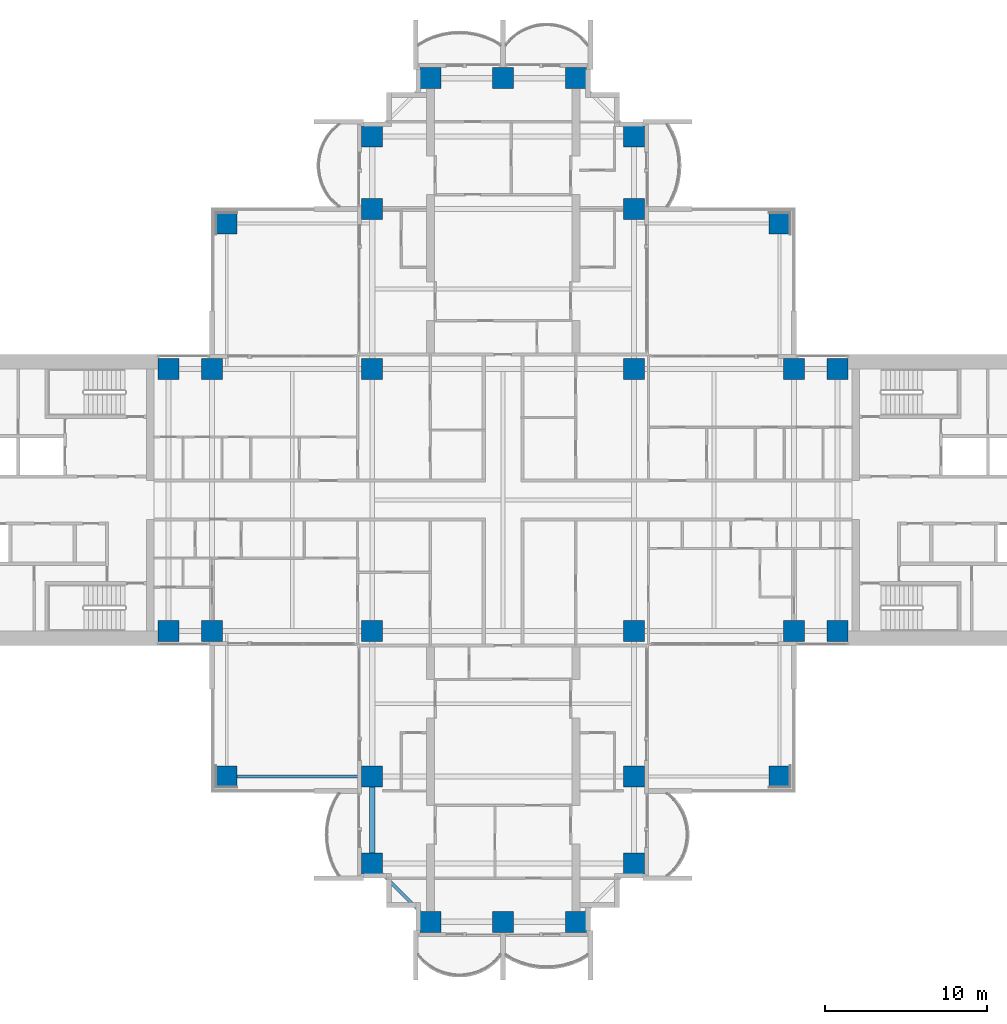
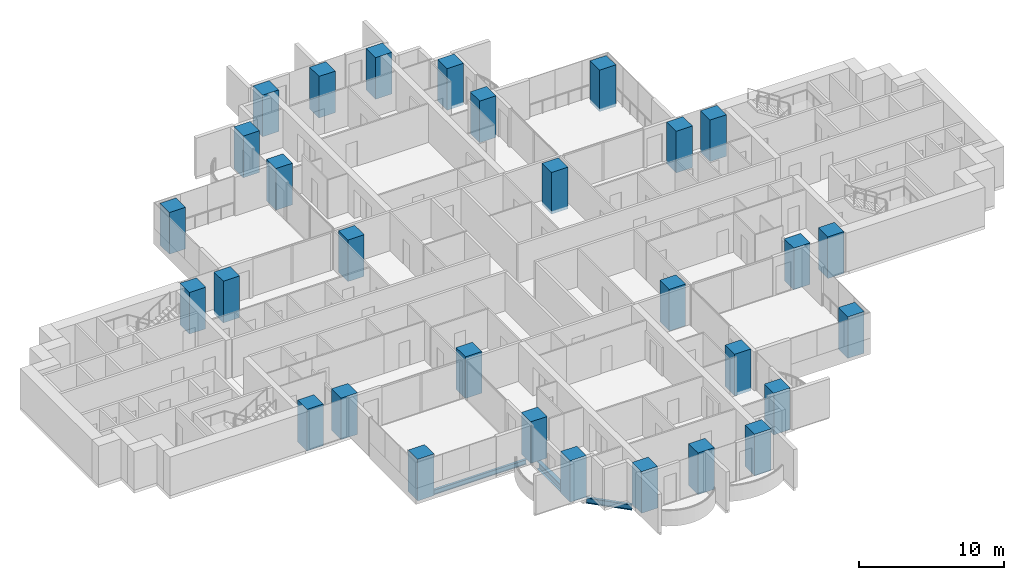
# One storey, part 1 of 21: 30 columns, 3 beams.
"""IFC4 building model written with IfcOpenShell, lengths in metres."""

import ifcopenshell
import ifcopenshell.guid

model = None  # the IFC model being written
_history = None  # IfcOwnerHistory: only IFC2X3 demands one
_inside = {}  # id of a spatial element -> (the spatial element, [elements in it])
_under = {}  # id of a project, library or spatial element -> (it, [spatial elements below it])
_declared = {}  # id of a project -> (the project, [libraries it declares])
_typed = {}  # id of a type object -> (the type object, [elements of that type])
_made_of = {}  # id of a material, layer set ... -> (it, [elements and type objects made of it])


def new_model(schema):
    """Start an empty IFC model of exactly this schema.

    Asked for "IFC4X3", IfcOpenShell would pick the latest addendum, in which some entities
    have other attributes; the version numbers below select the first issue.
    IFC2X3 requires an IfcOwnerHistory on every rooted entity: one is made here for all.
    """
    global model, _history
    if schema == "IFC4X3":
        model = ifcopenshell.file(schema_version=(4, 3, 0, 0))
    else:
        model = ifcopenshell.file(schema=schema)
    _inside.clear()
    _under.clear()
    _declared.clear()
    _typed.clear()
    _made_of.clear()
    _history = None
    if model.schema == "IFC2X3":
        org = make("IfcOrganization", Name="unknown")
        user = make(
            "IfcPersonAndOrganization",
            ThePerson=make("IfcPerson", FamilyName="unknown"),
            TheOrganization=org,
        )
        app = make(
            "IfcApplication",
            ApplicationDeveloper=org,
            Version="unknown",
            ApplicationFullName="unknown",
            ApplicationIdentifier="unknown",
        )
        _history = make(
            "IfcOwnerHistory",
            OwningUser=user,
            OwningApplication=app,
            ChangeAction="ADDED",
            CreationDate=0,
        )
    return model


def make(cls, **values):
    """One entity of the class cls with the attributes given. An attribute that is None is left unset."""
    return model.create_entity(
        cls, **{name: value for name, value in values.items() if value is not None}
    )


def rooted(cls, **values):
    """An entity with a GlobalId (a new one), such as an element, a storey or a relation."""
    return make(cls, GlobalId=ifcopenshell.guid.new(), OwnerHistory=_history, **values)


def si_unit(unit_type, name, prefix=None):
    """IfcSIUnit, for example si_unit("LENGTHUNIT", "METRE", prefix="MILLI")."""
    return make("IfcSIUnit", UnitType=unit_type, Prefix=prefix, Name=name)


def assignment(units):
    """IfcUnitAssignment: the units of a project."""
    return None if units is None else make("IfcUnitAssignment", Units=units)


def point(xyz):
    """IfcCartesianPoint."""
    return None if xyz is None else make("IfcCartesianPoint", Coordinates=xyz)


def direction(xyz):
    """IfcDirection."""
    return None if xyz is None else make("IfcDirection", DirectionRatios=xyz)


def frame(location, z_axis=None, x_axis=None):
    """IfcAxis2Placement3D, a coordinate frame: its origin and axes. An axis left out is left unset."""
    return make(
        "IfcAxis2Placement3D",
        Location=point(location),
        Axis=direction(z_axis),
        RefDirection=direction(x_axis),
    )


def frame_2d(location, x_axis=None):
    """IfcAxis2Placement2D, a coordinate frame in the plane: its origin and x axis."""
    return make(
        "IfcAxis2Placement2D", Location=point(location), RefDirection=direction(x_axis)
    )


def origin():
    """The frame at (0, 0, 0) with its axes left unset."""
    return frame((0.0, 0.0, 0.0))


def origin_2d():
    """The frame at (0, 0) in the plane with its x axis left unset."""
    return frame_2d((0.0, 0.0))


def place(relative_to, where):
    """IfcLocalPlacement: puts the frame where relative to a parent placement (None: the world)."""
    return make(
        "IfcLocalPlacement", PlacementRelTo=relative_to, RelativePlacement=where
    )


def context(
    kind, dimensions, precision=None, world=None, true_north=None, identifier=None
):
    """IfcGeometricRepresentationContext, for example the 3D "Model" context."""
    return make(
        "IfcGeometricRepresentationContext",
        ContextIdentifier=identifier,
        ContextType=kind,
        CoordinateSpaceDimension=dimensions,
        Precision=precision,
        WorldCoordinateSystem=world,
        TrueNorth=true_north,
    )


def subcontext(parent, identifier, kind, view, scale=None):
    """IfcGeometricRepresentationSubContext, for example "Body" below "Model"."""
    return make(
        "IfcGeometricRepresentationSubContext",
        ContextIdentifier=identifier,
        ContextType=kind,
        ParentContext=parent,
        TargetScale=scale,
        TargetView=view,
    )


def project(units=None, contexts=None):
    """IfcProject with its units and contexts."""
    return rooted(
        "IfcProject",
        Name="project",
        RepresentationContexts=contexts,
        UnitsInContext=assignment(units),
    )


def spatial(cls, under=None, at=None, **own):
    """A site, building, storey or space (cls), placed at a placement, below another one or the project."""
    s = rooted(cls, ObjectPlacement=at, **own)
    if under is not None:
        _under.setdefault(under.id(), (under, []))[1].append(s)
    return s


def profile(cls, at=None, kind="AREA", **sizes):
    """A parametric profile (cls). Its sizes go by their IFC names, for example OverallWidth=200.0."""
    return make(cls, ProfileType=kind, Position=at, **sizes)


def rectangle(**sizes):
    """IfcRectangleProfileDef."""
    return profile("IfcRectangleProfileDef", **sizes)


def i_section(**sizes):
    """IfcIShapeProfileDef."""
    return profile("IfcIShapeProfileDef", **sizes)


def extrude(swept, where, along, depth):
    """IfcExtrudedAreaSolid: the profile swept, set in the frame where, extruded along a direction by depth."""
    return make(
        "IfcExtrudedAreaSolid",
        SweptArea=swept,
        Position=where,
        ExtrudedDirection=direction(along),
        Depth=depth,
    )


def shape(context_of_items, identifier, shape_type, items):
    """IfcShapeRepresentation: the items that make up one representation, for example the "Body"."""
    return make(
        "IfcShapeRepresentation",
        ContextOfItems=context_of_items,
        RepresentationIdentifier=identifier,
        RepresentationType=shape_type,
        Items=items,
    )


def material(Name=None, Category=None):
    """IfcMaterial."""
    return make("IfcMaterial", Name=Name, Category=Category)


def material_profile(
    of_material, cross_section, Name=None, Category=None, Priority=None
):
    """IfcMaterialProfile: a cross section and its material."""
    return make(
        "IfcMaterialProfile",
        Name=Name,
        Material=of_material,
        Profile=cross_section,
        Priority=Priority,
        Category=Category,
    )


def profile_set(profiles, Name=None, composite=None):
    """IfcMaterialProfileSet."""
    return make(
        "IfcMaterialProfileSet",
        Name=Name,
        MaterialProfiles=profiles,
        CompositeProfile=composite,
    )


def made_of(thing, what):
    """Note that an element or type object is made of a material, layer set ...; save() writes the relation."""
    if what is not None:
        _made_of.setdefault(what.id(), (what, []))[1].append(thing)
    return thing


def type_object(cls, material=None, **own):
    """A type object (cls), such as IfcWallType, which elements share."""
    return made_of(rooted(cls, **own), material)


def element(
    cls,
    number,
    at=None,
    inside=None,
    cuts=None,
    type_object=None,
    material=None,
    context=None,
    identifier="Body",
    shape_type=None,
    held_by="IfcProductDefinitionShape",
    body=None,
    shapes=None,
    **own,
):
    """One element of the class cls, such as IfcWall. Its Tag is "e" and its number.

    at: its placement. inside: the storey or other place that contains it. cuts: it is an
    opening in that element (IfcRelVoidsElement). A single representation is given by context,
    identifier, shape_type and body (its items); several are given by shapes. held_by: the class
    of the entity that holds the representations. save() writes the other relations.
    """
    e = rooted(cls, Tag="e%d" % number, ObjectPlacement=at, **own)
    if body is not None:
        shapes = [shape(context, identifier, shape_type, body)]
    if shapes is not None:
        e.Representation = make(held_by, Representations=shapes)
    if inside is not None:
        _inside.setdefault(inside.id(), (inside, []))[1].append(e)
    if cuts is not None:
        rooted(
            "IfcRelVoidsElement", RelatingBuildingElement=cuts, RelatedOpeningElement=e
        )
    if type_object is not None:
        _typed.setdefault(type_object.id(), (type_object, []))[1].append(e)
    return made_of(e, material)


def aggregate(whole, parts):
    """IfcRelAggregates: a whole, such as a stair, and the parts it consists of."""
    return rooted("IfcRelAggregates", RelatingObject=whole, RelatedObjects=parts)


def save(model, path):
    """Write the relations noted so far, then the file.

    IfcRelAggregates (storeys below a building ...), IfcRelContainedInSpatialStructure (elements
    in a storey), IfcRelDefinesByType, IfcRelAssociatesMaterial and IfcRelDeclares: one each for
    every whole, place, type object, material and project.
    """
    for whole, parts in _under.values():
        aggregate(whole, parts)
    for where, things in _inside.values():
        rooted(
            "IfcRelContainedInSpatialStructure",
            RelatedElements=things,
            RelatingStructure=where,
        )
    for kind, things in _typed.values():
        rooted("IfcRelDefinesByType", RelatedObjects=things, RelatingType=kind)
    for what, things in _made_of.values():
        rooted("IfcRelAssociatesMaterial", RelatedObjects=things, RelatingMaterial=what)
    for by, libraries in _declared.values():
        rooted("IfcRelDeclares", RelatingContext=by, RelatedDefinitions=libraries)
    model.write(path)


model = new_model("IFC4")

# Units and contexts
model_context = context("Model", 3, precision=1e-05, world=origin(), true_north=direction((0.0, 1.0)))
body_context = subcontext(model_context, "Body", "Model", "MODEL_VIEW")
ifc_project = project(units=[si_unit("LENGTHUNIT", "METRE"), si_unit("AREAUNIT", "SQUARE_METRE"), si_unit("VOLUMEUNIT", "CUBIC_METRE"), si_unit("PLANEANGLEUNIT", "RADIAN"), si_unit("MASSUNIT", "GRAM", prefix="KILO")], contexts=[model_context])

# Site, building, storey
site_placement = place(None, origin())
site = spatial("IfcSite", under=ifc_project, at=site_placement, CompositionType="ELEMENT")
building_placement = place(site_placement, origin())
building = spatial("IfcBuilding", under=site, at=building_placement, Name="Perihelion Cross Residences", CompositionType="ELEMENT")
storey_placement = place(building_placement, frame((0.0, 0.0, 57.5)))
storey = spatial("IfcBuildingStorey", under=building, at=storey_placement, Name="L11", CompositionType="ELEMENT", Elevation=57.5)

# Columns
ifc_material_1 = material(Name="Concrete C70/85", Category="concrete")
ifc_material_profile_1 = material_profile(ifc_material_1, rectangle(XDim=1.300048828125, YDim=1.300048828125, at=origin_2d()), Name="RC 1300x1300")
ifc_profile_set_1 = profile_set([ifc_material_profile_1], Name="Concrete C70/85")
column_type = type_object("IfcColumnType", Name="Reinforced concrete column 1300x1300 C70/85", PredefinedType="COLUMN", material=ifc_profile_set_1)
for number, where, z_axis, x_axis, name in (
    (1, (-20.699951171875, -8.10009765625, -0.25), (0.0, 0.0, 1.0), (1.0, 0.0, 0.0), "Column C017 L11 no. 1"),
    (2, (-20.699951171875, 8.10009765625, -0.25), (0.0, 0.0, 1.0), (1.0, 0.0, 0.0), "Column C010 L11 no. 1"),
    (3, (-18.0, -8.10009765625, -0.25), (0.0, 0.0, 1.0), (1.0, 0.0, 0.0), "Column C018 L11 no. 1"),
    (4, (-18.0, 8.10009765625, -0.25), (0.0, 0.0, 1.0), (1.0, 0.0, 0.0), "Column C011 L11 no. 1"),
    (5, (-8.10009765625, -22.5, -0.25), (0.0, 0.0, 1.0), (1.0, 0.0, 0.0), "Column C040 L11 no. 1"),
    (6, (-8.10009765625, -17.10009765625, -0.25), (0.0, 0.0, 1.0), (1.0, 0.0, 0.0), "Column C031 L11 no. 1"),
    (7, (-8.10009765625, -8.10009765625, -0.25), (0.0, 0.0, 1.0), (1.0, 0.0, 0.0), "Column C019 L11 no. 1"),
    (8, (-8.10009765625, 8.10009765625, -0.25), (0.0, 0.0, 1.0), (1.0, 0.0, 0.0), "Column C012 L11 no. 1"),
    (9, (-8.10009765625, 18.0, -0.25), (0.0, 0.0, 1.0), (1.0, 0.0, 0.0), "Column C006 L11 no. 1"),
    (10, (-8.10009765625, 22.5, -0.25), (0.0, 0.0, 1.0), (1.0, 0.0, 0.0), "Column C004 L11 no. 1"),
    (11, (-4.5, -26.10009765625, -0.25), (0.0, 0.0, 1.0), (1.0, 0.0, 0.0), "Column C042 L11 no. 1"),
    (12, (-4.5, 26.10009765625, -0.25), (0.0, 0.0, 1.0), (1.0, 0.0, 0.0), "Column C001 L11 no. 1"),
    (13, (0.0, -26.10009765625, -0.25), (0.0, 0.0, 1.0), (1.0, 0.0, 0.0), "Column C043 L11 no. 1"),
    (14, (0.0, 26.10009765625, -0.25), (0.0, 0.0, 1.0), (1.0, 0.0, 0.0), "Column C002 L11 no. 1"),
    (15, (4.5, -26.10009765625, -0.25), (0.0, 0.0, 1.0), (1.0, 0.0, 0.0), "Column C044 L11 no. 1"),
    (16, (4.5, 26.10009765625, -0.25), (0.0, 0.0, 1.0), (1.0, 0.0, 0.0), "Column C003 L11 no. 1"),
    (17, (8.10009765625, -22.5, -0.25), (0.0, 0.0, 1.0), (1.0, 0.0, 0.0), "Column C041 L11 no. 1"),
    (18, (8.10009765625, -17.10009765625, -0.25), (0.0, 0.0, 1.0), (1.0, 0.0, 0.0), "Column C035 L11 no. 1"),
    (19, (8.10009765625, -8.10009765625, -0.25), (0.0, 0.0, 1.0), (1.0, 0.0, 0.0), "Column C020 L11 no. 1"),
    (20, (8.10009765625, 8.10009765625, -0.25), (0.0, 0.0, 1.0), (1.0, 0.0, 0.0), "Column C014 L11 no. 1"),
    (21, (8.10009765625, 18.0, -0.25), (0.0, 0.0, 1.0), (1.0, 0.0, 0.0), "Column C007 L11 no. 1"),
    (22, (8.10009765625, 22.5, -0.25), (0.0, 0.0, 1.0), (1.0, 0.0, 0.0), "Column C005 L11 no. 1"),
    (23, (18.0, -8.10009765625, -0.25), (0.0, 0.0, 1.0), (1.0, 0.0, 0.0), "Column C021 L11 no. 1"),
    (24, (18.0, 8.10009765625, -0.25), (0.0, 0.0, 1.0), (1.0, 0.0, 0.0), "Column C015 L11 no. 1"),
    (25, (20.699951171875, -8.10009765625, -0.25), (0.0, 0.0, 1.0), (1.0, 0.0, 0.0), "Column C022 L11 no. 1"),
    (26, (20.699951171875, 8.10009765625, -0.25), (0.0, 0.0, 1.0), (1.0, 0.0, 0.0), "Column C016 L11 no. 1"),
    (27, (17.10009765625, 17.10009765625, -0.25), (0.0, 0.0, 1.0), (1.0, 0.0, 0.0), "Column C009 L11 no. 1"),
    (28, (-17.10009765625, 17.10009765625, -0.25), (0.0, 0.0, 1.0), (1.0, 0.0, 0.0), "Column C008 L11 no. 1"),
    (29, (-17.10009765625, -17.10009765625, -0.25), (0.0, 0.0, 1.0), (1.0, 0.0, 0.0), "Column C030 L11 no. 1"),
    (30, (17.10009765625, -17.10009765625, -0.25), (0.0, 0.0, 1.0), (1.0, 0.0, 0.0), "Column C036 L11 no. 1"),
):
    element("IfcColumn", number, at=place(storey_placement, frame(where, z_axis=z_axis, x_axis=x_axis)), inside=storey, type_object=column_type, Name=name, PredefinedType="COLUMN", context=body_context, shape_type="SweptSolid", body=[
        extrude(rectangle(XDim=1.300048828125, YDim=1.300048828125, at=origin_2d()), origin(), (0.0, 0.0, 1.0), 3.5),
    ])

# Beams
ifc_material_2 = material(Name="Steel S355", Category="steel")
ifc_material_profile_2 = material_profile(ifc_material_2, i_section(OverallWidth=0.177978515625, OverallDepth=0.406005859375, WebThickness=0.0078125, FlangeThickness=0.0126953125, at=origin_2d()), Name="W410x60")
ifc_profile_set_2 = profile_set([ifc_material_profile_2], Name="Steel S355")
beam_type_1 = type_object("IfcBeamType", Name="Core edge beam W410x60", PredefinedType="BEAM", material=ifc_profile_set_2)
beam_1_placement = place(storey_placement, frame((-8.75, -17.10009765625, -0.452880859375), z_axis=(-1.0, 0.0, 0.0), x_axis=(0.0, -1.0, 0.0)))
element("IfcBeam", 31, at=beam_1_placement, inside=storey, type_object=beam_type_1, Name="Core edge beam TB2 L11 corner no. 2", PredefinedType="BEAM", context=body_context, shape_type="SweptSolid", body=[
    extrude(i_section(OverallWidth=0.177978515625, OverallDepth=0.406005859375, WebThickness=0.0078125, FlangeThickness=0.0126953125, at=origin_2d()), origin(), (0.0, 0.0, 1.0), 7.699951171875),
])
ifc_material_3 = material(Name="Steel S355", Category="steel")
ifc_material_profile_3 = material_profile(ifc_material_3, i_section(OverallWidth=0.324951171875, OverallDepth=0.616943359375, WebThickness=0.013916015625, FlangeThickness=0.021484375, at=origin_2d()), Name="W610x174")
ifc_profile_set_3 = profile_set([ifc_material_profile_3], Name="Steel S355")
beam_type_2 = type_object("IfcBeamType", Name="Edge beam W610x174", PredefinedType="SPANDREL", material=ifc_profile_set_3)
beam_2_placement = place(storey_placement, frame((-8.10009765625, -17.75, -0.55859375), z_axis=(0.0, -1.0, 0.0), x_axis=(1.0, 0.0, 0.0)))
element("IfcBeam", 32, at=beam_2_placement, inside=storey, type_object=beam_type_2, Name="Edge beam SB2 L11 no. 5", PredefinedType="SPANDREL", context=body_context, shape_type="SweptSolid", body=[
    extrude(i_section(OverallWidth=0.324951171875, OverallDepth=0.616943359375, WebThickness=0.013916015625, FlangeThickness=0.021484375, at=origin_2d()), origin(), (0.0, 0.0, 1.0), 4.10009765625),
])
ifc_material_4 = material(Name="Steel S355", Category="steel")
ifc_material_profile_4 = material_profile(ifc_material_4, i_section(OverallWidth=0.194091796875, OverallDepth=0.469970703125, WebThickness=0.0126953125, FlangeThickness=0.0205078125, at=origin_2d()), Name="W460x106")
ifc_profile_set_4 = profile_set([ifc_material_profile_4], Name="Steel S355")
beam_type_3 = type_object("IfcBeamType", Name="Serration edge beam W460x106", PredefinedType="BEAM", material=ifc_profile_set_4)
beam_3_placement = place(storey_placement, frame((-7.449951171875, -23.14990234375, -0.485107421875), z_axis=(0.707106781187, -0.707106781187, 0.0), x_axis=(0.707106781187, 0.707106781187, 0.0)))
element("IfcBeam", 33, at=beam_3_placement, inside=storey, type_object=beam_type_3, Name="Serration edge beam EB2 L11 no. 2", PredefinedType="BEAM", context=body_context, shape_type="SweptSolid", body=[
    extrude(i_section(OverallWidth=0.194091796875, OverallDepth=0.469970703125, WebThickness=0.0126953125, FlangeThickness=0.0205078125, at=origin_2d()), origin(), (0.0, 0.0, 1.0), 3.252685546875),
])

save(model, "model.ifc")
